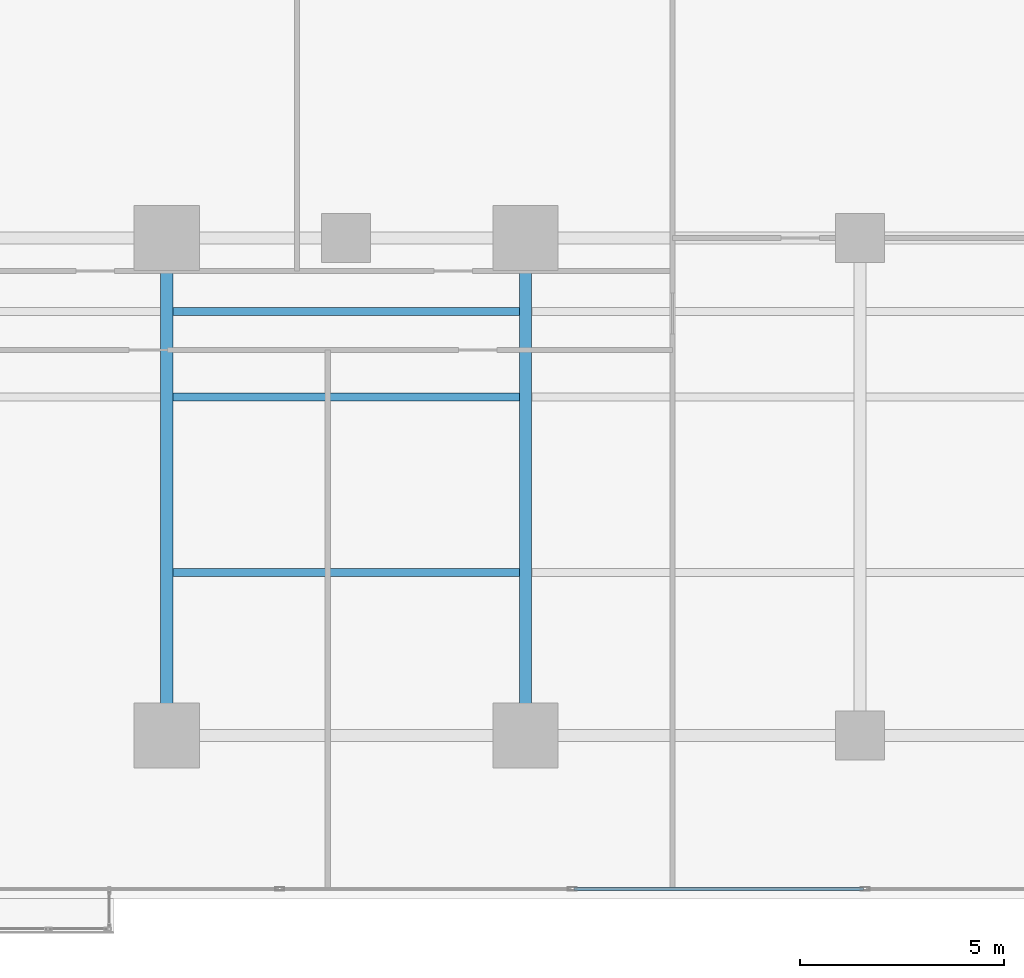
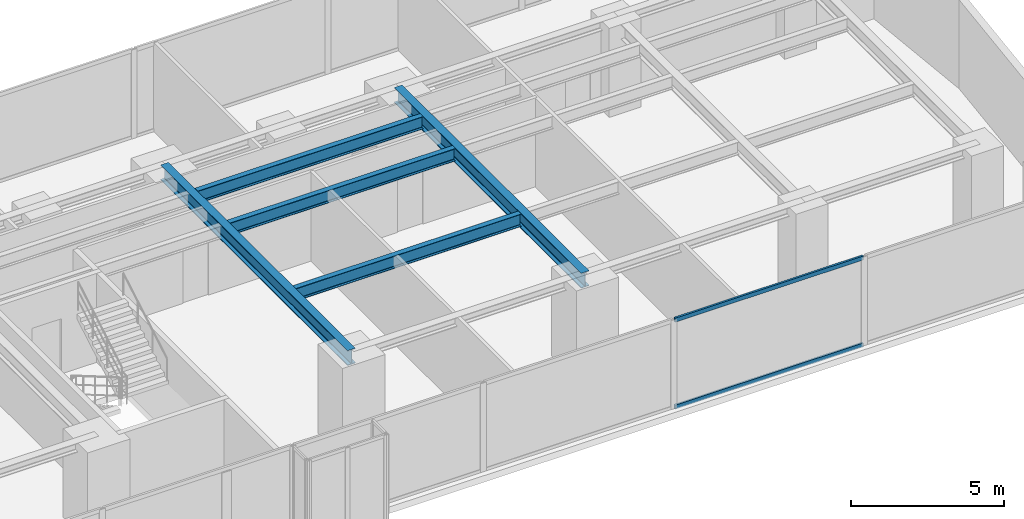
# One storey, part 10 of 30: 5 beams, 2 members, 1 element without a shape of its own.
"""IFC4 building model written with IfcOpenShell, lengths in metres."""

import ifcopenshell
import ifcopenshell.guid

model = None  # the IFC model being written
_history = None  # IfcOwnerHistory: only IFC2X3 demands one
_inside = {}  # id of a spatial element -> (the spatial element, [elements in it])
_under = {}  # id of a project, library or spatial element -> (it, [spatial elements below it])
_declared = {}  # id of a project -> (the project, [libraries it declares])
_typed = {}  # id of a type object -> (the type object, [elements of that type])
_made_of = {}  # id of a material, layer set ... -> (it, [elements and type objects made of it])


def new_model(schema):
    """Start an empty IFC model of exactly this schema.

    Asked for "IFC4X3", IfcOpenShell would pick the latest addendum, in which some entities
    have other attributes; the version numbers below select the first issue.
    IFC2X3 requires an IfcOwnerHistory on every rooted entity: one is made here for all.
    """
    global model, _history
    if schema == "IFC4X3":
        model = ifcopenshell.file(schema_version=(4, 3, 0, 0))
    else:
        model = ifcopenshell.file(schema=schema)
    _inside.clear()
    _under.clear()
    _declared.clear()
    _typed.clear()
    _made_of.clear()
    _history = None
    if model.schema == "IFC2X3":
        org = make("IfcOrganization", Name="unknown")
        user = make(
            "IfcPersonAndOrganization",
            ThePerson=make("IfcPerson", FamilyName="unknown"),
            TheOrganization=org,
        )
        app = make(
            "IfcApplication",
            ApplicationDeveloper=org,
            Version="unknown",
            ApplicationFullName="unknown",
            ApplicationIdentifier="unknown",
        )
        _history = make(
            "IfcOwnerHistory",
            OwningUser=user,
            OwningApplication=app,
            ChangeAction="ADDED",
            CreationDate=0,
        )
    return model


def make(cls, **values):
    """One entity of the class cls with the attributes given. An attribute that is None is left unset."""
    return model.create_entity(
        cls, **{name: value for name, value in values.items() if value is not None}
    )


def rooted(cls, **values):
    """An entity with a GlobalId (a new one), such as an element, a storey or a relation."""
    return make(cls, GlobalId=ifcopenshell.guid.new(), OwnerHistory=_history, **values)


def si_unit(unit_type, name, prefix=None):
    """IfcSIUnit, for example si_unit("LENGTHUNIT", "METRE", prefix="MILLI")."""
    return make("IfcSIUnit", UnitType=unit_type, Prefix=prefix, Name=name)


def assignment(units):
    """IfcUnitAssignment: the units of a project."""
    return None if units is None else make("IfcUnitAssignment", Units=units)


def point(xyz):
    """IfcCartesianPoint."""
    return None if xyz is None else make("IfcCartesianPoint", Coordinates=xyz)


def direction(xyz):
    """IfcDirection."""
    return None if xyz is None else make("IfcDirection", DirectionRatios=xyz)


def frame(location, z_axis=None, x_axis=None):
    """IfcAxis2Placement3D, a coordinate frame: its origin and axes. An axis left out is left unset."""
    return make(
        "IfcAxis2Placement3D",
        Location=point(location),
        Axis=direction(z_axis),
        RefDirection=direction(x_axis),
    )


def frame_2d(location, x_axis=None):
    """IfcAxis2Placement2D, a coordinate frame in the plane: its origin and x axis."""
    return make(
        "IfcAxis2Placement2D", Location=point(location), RefDirection=direction(x_axis)
    )


def origin():
    """The frame at (0, 0, 0) with its axes left unset."""
    return frame((0.0, 0.0, 0.0))


def origin_with_axes():
    """The frame at (0, 0, 0) with the z axis (0, 0, 1) and the x axis (1, 0, 0) written out."""
    return frame((0.0, 0.0, 0.0), z_axis=(0.0, 0.0, 1.0), x_axis=(1.0, 0.0, 0.0))


def origin_2d():
    """The frame at (0, 0) in the plane with its x axis left unset."""
    return frame_2d((0.0, 0.0))


def place(relative_to, where):
    """IfcLocalPlacement: puts the frame where relative to a parent placement (None: the world)."""
    return make(
        "IfcLocalPlacement", PlacementRelTo=relative_to, RelativePlacement=where
    )


def context(
    kind, dimensions, precision=None, world=None, true_north=None, identifier=None
):
    """IfcGeometricRepresentationContext, for example the 3D "Model" context."""
    return make(
        "IfcGeometricRepresentationContext",
        ContextIdentifier=identifier,
        ContextType=kind,
        CoordinateSpaceDimension=dimensions,
        Precision=precision,
        WorldCoordinateSystem=world,
        TrueNorth=true_north,
    )


def subcontext(parent, identifier, kind, view, scale=None):
    """IfcGeometricRepresentationSubContext, for example "Body" below "Model"."""
    return make(
        "IfcGeometricRepresentationSubContext",
        ContextIdentifier=identifier,
        ContextType=kind,
        ParentContext=parent,
        TargetScale=scale,
        TargetView=view,
    )


def project(units=None, contexts=None):
    """IfcProject with its units and contexts."""
    return rooted(
        "IfcProject",
        Name="project",
        RepresentationContexts=contexts,
        UnitsInContext=assignment(units),
    )


def spatial(cls, under=None, at=None, **own):
    """A site, building, storey or space (cls), placed at a placement, below another one or the project."""
    s = rooted(cls, ObjectPlacement=at, **own)
    if under is not None:
        _under.setdefault(under.id(), (under, []))[1].append(s)
    return s


def profile(cls, at=None, kind="AREA", **sizes):
    """A parametric profile (cls). Its sizes go by their IFC names, for example OverallWidth=200.0."""
    return make(cls, ProfileType=kind, Position=at, **sizes)


def hollow_rectangle(**sizes):
    """IfcRectangleHollowProfileDef."""
    return profile("IfcRectangleHollowProfileDef", **sizes)


def i_section(**sizes):
    """IfcIShapeProfileDef."""
    return profile("IfcIShapeProfileDef", **sizes)


def extrude(swept, where, along, depth):
    """IfcExtrudedAreaSolid: the profile swept, set in the frame where, extruded along a direction by depth."""
    return make(
        "IfcExtrudedAreaSolid",
        SweptArea=swept,
        Position=where,
        ExtrudedDirection=direction(along),
        Depth=depth,
    )


def shape(context_of_items, identifier, shape_type, items):
    """IfcShapeRepresentation: the items that make up one representation, for example the "Body"."""
    return make(
        "IfcShapeRepresentation",
        ContextOfItems=context_of_items,
        RepresentationIdentifier=identifier,
        RepresentationType=shape_type,
        Items=items,
    )


def source(mapping_origin, context_of_items, identifier, shape_type, items):
    """IfcRepresentationMap: a shape defined once, which mapped items show again and again."""
    return make(
        "IfcRepresentationMap",
        MappingOrigin=mapping_origin,
        MappedRepresentation=shape(context_of_items, identifier, shape_type, items),
    )


def transform(
    local_origin,
    x_axis=None,
    y_axis=None,
    z_axis=None,
    scale=None,
    scale2=None,
    scale3=None,
    uniform=True,
):
    """IfcCartesianTransformationOperator3D, or its non-uniform kind. x_axis, y_axis, z_axis: its Axis1, 2, 3."""
    if uniform:
        return make(
            "IfcCartesianTransformationOperator3D",
            Axis1=direction(x_axis),
            Axis2=direction(y_axis),
            LocalOrigin=point(local_origin),
            Scale=scale,
            Axis3=direction(z_axis),
        )
    return make(
        "IfcCartesianTransformationOperator3DnonUniform",
        Axis1=direction(x_axis),
        Axis2=direction(y_axis),
        LocalOrigin=point(local_origin),
        Scale=scale,
        Axis3=direction(z_axis),
        Scale2=scale2,
        Scale3=scale3,
    )


def mapped(mapping_source, mapping_target):
    """IfcMappedItem: shows the shape of a source again, moved by a transform."""
    return make(
        "IfcMappedItem", MappingSource=mapping_source, MappingTarget=mapping_target
    )


def material(Name=None, Category=None):
    """IfcMaterial."""
    return make("IfcMaterial", Name=Name, Category=Category)


def layer(
    of_material, thickness, ventilated=None, Name=None, Category=None, Priority=None
):
    """IfcMaterialLayer: one layer of a wall or slab, of a material (None: an air gap)."""
    return make(
        "IfcMaterialLayer",
        Material=of_material,
        LayerThickness=thickness,
        IsVentilated=ventilated,
        Name=Name,
        Category=Category,
        Priority=Priority,
    )


def layer_set(layers, Name=None):
    """IfcMaterialLayerSet."""
    return make("IfcMaterialLayerSet", MaterialLayers=layers, LayerSetName=Name)


def material_profile(
    of_material, cross_section, Name=None, Category=None, Priority=None
):
    """IfcMaterialProfile: a cross section and its material."""
    return make(
        "IfcMaterialProfile",
        Name=Name,
        Material=of_material,
        Profile=cross_section,
        Priority=Priority,
        Category=Category,
    )


def profile_set(profiles, Name=None, composite=None):
    """IfcMaterialProfileSet."""
    return make(
        "IfcMaterialProfileSet",
        Name=Name,
        MaterialProfiles=profiles,
        CompositeProfile=composite,
    )


def made_of(thing, what):
    """Note that an element or type object is made of a material, layer set ...; save() writes the relation."""
    if what is not None:
        _made_of.setdefault(what.id(), (what, []))[1].append(thing)
    return thing


def type_object(cls, material=None, **own):
    """A type object (cls), such as IfcWallType, which elements share."""
    return made_of(rooted(cls, **own), material)


def element(
    cls,
    number,
    at=None,
    inside=None,
    cuts=None,
    type_object=None,
    material=None,
    context=None,
    identifier="Body",
    shape_type=None,
    held_by="IfcProductDefinitionShape",
    body=None,
    shapes=None,
    **own,
):
    """One element of the class cls, such as IfcWall. Its Tag is "e" and its number.

    at: its placement. inside: the storey or other place that contains it. cuts: it is an
    opening in that element (IfcRelVoidsElement). A single representation is given by context,
    identifier, shape_type and body (its items); several are given by shapes. held_by: the class
    of the entity that holds the representations. save() writes the other relations.
    """
    e = rooted(cls, Tag="e%d" % number, ObjectPlacement=at, **own)
    if body is not None:
        shapes = [shape(context, identifier, shape_type, body)]
    if shapes is not None:
        e.Representation = make(held_by, Representations=shapes)
    if inside is not None:
        _inside.setdefault(inside.id(), (inside, []))[1].append(e)
    if cuts is not None:
        rooted(
            "IfcRelVoidsElement", RelatingBuildingElement=cuts, RelatedOpeningElement=e
        )
    if type_object is not None:
        _typed.setdefault(type_object.id(), (type_object, []))[1].append(e)
    return made_of(e, material)


def aggregate(whole, parts):
    """IfcRelAggregates: a whole, such as a stair, and the parts it consists of."""
    return rooted("IfcRelAggregates", RelatingObject=whole, RelatedObjects=parts)


def save(model, path):
    """Write the relations noted so far, then the file.

    IfcRelAggregates (storeys below a building ...), IfcRelContainedInSpatialStructure (elements
    in a storey), IfcRelDefinesByType, IfcRelAssociatesMaterial and IfcRelDeclares: one each for
    every whole, place, type object, material and project.
    """
    for whole, parts in _under.values():
        aggregate(whole, parts)
    for where, things in _inside.values():
        rooted(
            "IfcRelContainedInSpatialStructure",
            RelatedElements=things,
            RelatingStructure=where,
        )
    for kind, things in _typed.values():
        rooted("IfcRelDefinesByType", RelatedObjects=things, RelatingType=kind)
    for what, things in _made_of.values():
        rooted("IfcRelAssociatesMaterial", RelatedObjects=things, RelatingMaterial=what)
    for by, libraries in _declared.values():
        rooted("IfcRelDeclares", RelatingContext=by, RelatedDefinitions=libraries)
    model.write(path)


model = new_model("IFC4")

# Units and contexts
model_context = context("Model", 3, precision=1e-05, world=origin(), true_north=direction((0.0, 1.0)))
body_context = subcontext(model_context, "Body", "Model", "MODEL_VIEW")
ifc_project = project(units=[si_unit("LENGTHUNIT", "METRE"), si_unit("AREAUNIT", "SQUARE_METRE"), si_unit("VOLUMEUNIT", "CUBIC_METRE"), si_unit("PLANEANGLEUNIT", "RADIAN"), si_unit("MASSUNIT", "GRAM", prefix="KILO")], contexts=[model_context])

# Site, building, storey
site_placement = place(None, origin())
site = spatial("IfcSite", under=ifc_project, at=site_placement, CompositionType="ELEMENT")
building_placement = place(site_placement, origin())
building = spatial("IfcBuilding", under=site, at=building_placement, Name="Kolvaren Waterfront Exchange", CompositionType="ELEMENT")
storey_placement = place(building_placement, frame((0.0, 0.0, 52.39990234375)))
storey = spatial("IfcBuildingStorey", under=building, at=storey_placement, Name="L13", CompositionType="ELEMENT", Elevation=52.39990234375)

# Beams
ifc_material_1 = material(Name="Steel S355", Category="steel")
ifc_material_profile_1 = material_profile(ifc_material_1, i_section(OverallWidth=0.300048828125, OverallDepth=0.60009765625, WebThickness=0.015380859375, FlangeThickness=0.030029296875, FilletRadius=0.027099609375, at=origin_2d()), Name="HEB600")
ifc_profile_set_1 = profile_set([ifc_material_profile_1], Name="Steel S355")
beam_type_1 = type_object("IfcBeamType", Name="STR-BM-HEB600", PredefinedType="BEAM", material=ifc_profile_set_1)
for number, where, z_axis, x_axis, name in (
    (1, (36.800048828125, 5.199951171875, 3.239990234375), (0.0, 1.0, 0.0), (-1.0, 0.0, 0.0), "L13 east-arm transverse girder X36"),
    (2, (45.60009765625, 5.199951171875, 3.239990234375), (0.0, 1.0, 0.0), (-1.0, 0.0, 0.0), "L13 east-arm transverse girder X45"),
):
    element("IfcBeam", number, at=place(storey_placement, frame(where, z_axis=z_axis, x_axis=x_axis)), inside=storey, type_object=beam_type_1, Name=name, PredefinedType="BEAM", context=body_context, shape_type="SweptSolid", body=[
        extrude(i_section(OverallWidth=0.300048828125, OverallDepth=0.60009765625, WebThickness=0.015380859375, FlangeThickness=0.030029296875, FilletRadius=0.027099609375, at=origin_2d()), origin(), (0.0, 0.0, 1.0), 12.199951171875),
    ])
ifc_material_profile_2 = material_profile(ifc_material_1, i_section(OverallWidth=0.199951171875, OverallDepth=0.5, WebThickness=0.01025390625, FlangeThickness=0.01611328125, FilletRadius=0.02099609375, at=origin_2d()), Name="IPE500")
ifc_profile_set_2 = profile_set([ifc_material_profile_2], Name="Steel S355")
beam_type_2 = type_object("IfcBeamType", Name="STR-BM-IPE500", PredefinedType="JOIST", material=ifc_profile_set_2)
for number, where, z_axis, x_axis, name in (
    (3, (36.951904296875, 13.5, 3.2900390625), (1.0, 0.0, 0.0), (0.0, 1.0, 0.0), "L13 east-arm composite joist 3A"),
    (4, (36.951904296875, 15.60009765625, 3.2900390625), (1.0, 0.0, 0.0), (0.0, 1.0, 0.0), "L13 east-arm composite joist 3C"),
    (5, (36.951904296875, 9.199951171875, 3.2900390625), (1.0, 0.0, 0.0), (0.0, 1.0, 0.0), "L13 east-arm composite joist 3B"),
):
    element("IfcBeam", number, at=place(storey_placement, frame(where, z_axis=z_axis, x_axis=x_axis)), inside=storey, type_object=beam_type_2, Name=name, PredefinedType="JOIST", context=body_context, shape_type="SweptSolid", body=[
        extrude(i_section(OverallWidth=0.199951171875, OverallDepth=0.5, WebThickness=0.01025390625, FlangeThickness=0.01611328125, FilletRadius=0.02099609375, at=origin_2d()), origin(), (0.0, 0.0, 1.0), 8.49609375),
    ])

# Curtain wall, members
ifc_material_2 = material(Name="Anodised bronze aluminium 6063-T6", Category="aluminium")
ifc_layer = layer(ifc_material_2, 0.219970703125, Name="Anodised bronze aluminium 6063-T6")
ifc_layer_set = layer_set([ifc_layer], Name="Anodised bronze aluminium 6063-T6")
curtain_wall_type = type_object("IfcCurtainWallType", Name="ARC-CW-SYS1", PredefinedType="USERDEFINED", material=ifc_layer_set)
curtain_wall_placement = place(storey_placement, origin())
curtain_wall = element("IfcCurtainWall", 6, at=curtain_wall_placement, inside=storey, type_object=curtain_wall_type, Name="L13 stick curtain wall CW1 (CW-L13-S)", ObjectType="STICK CURTAIN WALL", PredefinedType="USERDEFINED")
ifc_material_3 = material(Name="Anodised aluminium 6063-T6", Category="aluminium")
ifc_material_profile_3 = material_profile(ifc_material_3, hollow_rectangle(XDim=0.074951171875, YDim=0.159912109375, WallThickness=0.00439453125, at=origin_2d()), Name="ALU-TRN-160x75x4.5")
ifc_profile_set_3 = profile_set([ifc_material_profile_3], Name="Anodised aluminium 6063-T6")
member_type = type_object("IfcMemberType", Name="ARC-CWT-160", PredefinedType="USERDEFINED", material=ifc_profile_set_3)
shared_shape = source(origin_with_axes(), body_context, "Body", "SweptSolid", [
    extrude(hollow_rectangle(XDim=0.074951171875, YDim=0.159912109375, WallThickness=0.00439453125, at=origin_2d()), origin(), (0.0, 0.0, 1.0), 7.094970703125),
])
member_1_placement = place(storey_placement, frame((46.7900390625, 1.43994140625, 0.03759765625), z_axis=(1.0, 0.0, 0.0), x_axis=(0.0, 1.0, 0.0)))
member_1 = element("IfcMember", 7, at=member_1_placement, type_object=member_type, Name="CW1 transom 7.1", ObjectType="TRANSOM", PredefinedType="USERDEFINED", context=body_context, shape_type="MappedRepresentation", body=[
    mapped(shared_shape, transform((0.0, 0.0, 0.0), x_axis=(1.0, 0.0, 0.0), y_axis=(0.0, 1.0, 0.0), z_axis=(0.0, 0.0, 1.0), scale=1.0)),
])
member_2_placement = place(storey_placement, frame((46.7900390625, 1.43994140625, 3.502685546875), z_axis=(1.0, 0.0, 0.0), x_axis=(0.0, 1.0, 0.0)))
member_2 = element("IfcMember", 8, at=member_2_placement, type_object=member_type, Name="CW1 transom 7.2", ObjectType="TRANSOM", PredefinedType="USERDEFINED", context=body_context, shape_type="MappedRepresentation", body=[
    mapped(shared_shape, transform((0.0, 0.0, 0.0), x_axis=(1.0, 0.0, 0.0), y_axis=(0.0, 1.0, 0.0), z_axis=(0.0, 0.0, 1.0), scale=1.0)),
])
aggregate(curtain_wall, [member_1, member_2])

save(model, "model.ifc")
